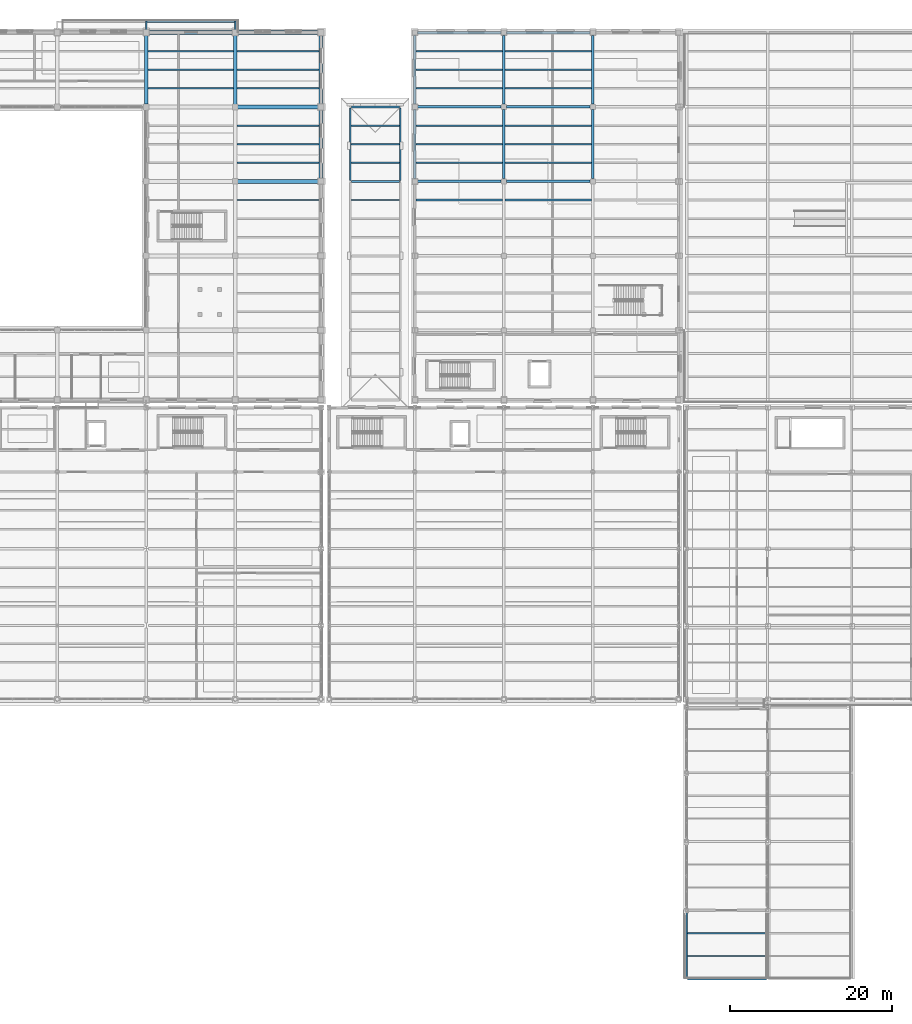
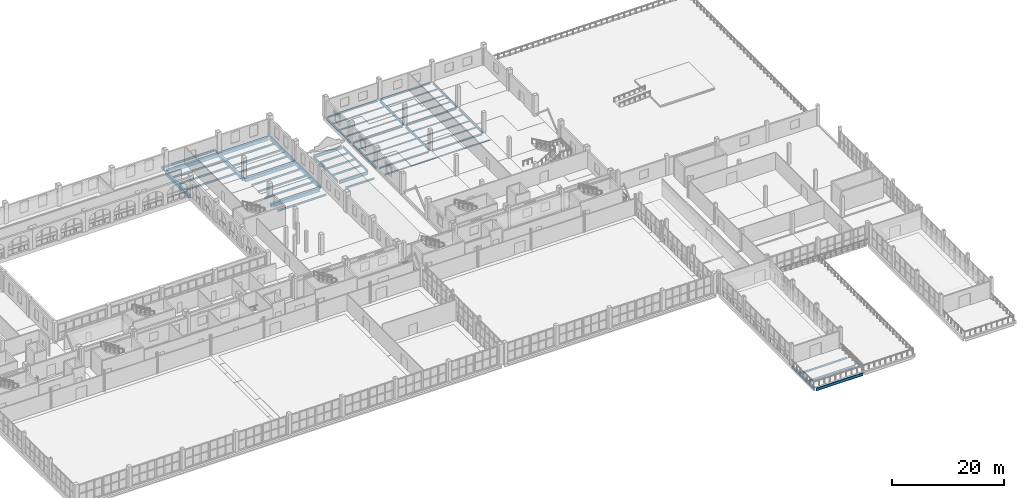
# One storey, part 59 of 156: 59 beams.
"""IFC4 building model written with IfcOpenShell, lengths in metres."""

from ifc_helpers import new_model, si_unit, direction, frame, origin, origin_2d, place, context, subcontext, project, spatial, rectangle, i_section, extrude, material, material_profile, profile_set, type_object, element, save


model = new_model("IFC4")

# Units and contexts
model_context = context("Model", 3, precision=1e-05, world=origin(), true_north=direction((0.0, 1.0)))
body_context = subcontext(model_context, "Body", "Model", "MODEL_VIEW")
ifc_project = project(units=[si_unit("LENGTHUNIT", "METRE"), si_unit("AREAUNIT", "SQUARE_METRE"), si_unit("VOLUMEUNIT", "CUBIC_METRE"), si_unit("PLANEANGLEUNIT", "RADIAN"), si_unit("MASSUNIT", "GRAM", prefix="KILO")], contexts=[model_context])

# Site, building, storey
site_placement = place(None, origin())
site = spatial("IfcSite", under=ifc_project, at=site_placement, CompositionType="ELEMENT")
building_placement = place(site_placement, origin())
building = spatial("IfcBuilding", under=site, at=building_placement, Name="Caurita Quay Ferry Terminal", CompositionType="ELEMENT")
storey_placement = place(building_placement, frame((0.0, 0.0, 5.39990234375)))
storey = spatial("IfcBuildingStorey", under=building, at=storey_placement, Name="L01", CompositionType="ELEMENT", Elevation=5.39990234375)

# Beams
ifc_material_1 = material(Name="Structural steel ASTM A992 Gr. 50", Category="steel")
ifc_material_profile_1 = material_profile(ifc_material_1, i_section(OverallWidth=0.193115234375, OverallDepth=0.46728515625, WebThickness=0.011474609375, FlangeThickness=0.01904296875, FilletRadius=0.0126953125, at=origin_2d()), Name="W18X65")
ifc_profile_set_1 = profile_set([ifc_material_profile_1], Name="Structural steel ASTM A992 Gr. 50")
beam_type_1 = type_object("IfcBeamType", Name="BM-GR-W18A", PredefinedType="BEAM", material=ifc_profile_set_1)
beam_1_placement = place(storey_placement, frame((66.102294921875, 118.320068359375, -0.45361328125), z_axis=(1.0, 0.0, 0.0), x_axis=(0.0, 1.0, 0.0)))
element("IfcBeam", 1, at=beam_1_placement, inside=storey, type_object=beam_type_1, Name="L01 Balcony Front Edge Beam 06", PredefinedType="BEAM", context=body_context, shape_type="SweptSolid", body=[
    extrude(i_section(OverallWidth=0.193115234375, OverallDepth=0.46728515625, WebThickness=0.011474609375, FlangeThickness=0.01904296875, FilletRadius=0.0126953125, at=origin_2d()), origin(), (0.0, 0.0, 1.0), 10.79541015625),
])
ifc_material_profile_2 = material_profile(ifc_material_1, i_section(OverallWidth=0.210693359375, OverallDepth=0.53857421875, WebThickness=0.01171875, FlangeThickness=0.018798828125, FilletRadius=0.013916015625, at=origin_2d()), Name="W21X73")
ifc_profile_set_2 = profile_set([ifc_material_profile_2], Name="Structural steel ASTM A992 Gr. 50")
beam_type_2 = type_object("IfcBeamType", Name="BM-GR-W21A", PredefinedType="BEAM", material=ifc_profile_set_2)
beam_2_placement = place(storey_placement, frame((132.800048828125, 0.12939453125, -0.529296875), z_axis=(0.0, 1.0, 0.0), x_axis=(-1.0, 0.0, 0.0)))
element("IfcBeam", 2, at=beam_2_placement, inside=storey, type_object=beam_type_2, Name="L01 Beam BM-V3P-L01-Y-1328-1", PredefinedType="BEAM", context=body_context, shape_type="SweptSolid", body=[
    extrude(i_section(OverallWidth=0.210693359375, OverallDepth=0.53857421875, WebThickness=0.01171875, FlangeThickness=0.018798828125, FilletRadius=0.013916015625, at=origin_2d()), origin(), (0.0, 0.0, 1.0), 8.2412109375),
])
ifc_material_profile_3 = material_profile(ifc_material_1, i_section(OverallWidth=0.22802734375, OverallDepth=0.60205078125, WebThickness=0.010498046875, FlangeThickness=0.014892578125, at=origin_2d()), Name="W24X68")
ifc_profile_set_3 = profile_set([ifc_material_profile_3], Name="Structural steel ASTM A992 Gr. 50")
beam_type_3 = type_object("IfcBeamType", Name="BM-GR-W24C", PredefinedType="BEAM", material=ifc_profile_set_3)
beam_3_placement = place(storey_placement, frame((132.929443359375, 0.0, -0.560791015625), z_axis=(1.0, 0.0, 0.0), x_axis=(0.0, 1.0, 0.0)))
element("IfcBeam", 3, at=beam_3_placement, inside=storey, type_object=beam_type_3, Name="L01 Beam BM-V3P-L01-X-1329-0", PredefinedType="BEAM", context=body_context, shape_type="SweptSolid", body=[
    extrude(i_section(OverallWidth=0.22802734375, OverallDepth=0.60205078125, WebThickness=0.010498046875, FlangeThickness=0.014892578125, at=origin_2d()), origin(), (0.0, 0.0, 1.0), 9.740966796875),
])
ifc_material_profile_4 = material_profile(ifc_material_1, i_section(OverallWidth=0.25390625, OverallDepth=0.68310546875, WebThickness=0.012451171875, FlangeThickness=0.018798828125, at=origin_2d()), Name="W27X94")
ifc_profile_set_4 = profile_set([ifc_material_profile_4], Name="Structural steel ASTM A992 Gr. 50")
beam_type_4 = type_object("IfcBeamType", Name="BM-GR-W27B", PredefinedType="BEAM", material=ifc_profile_set_4)
for number, where, z_axis, x_axis, name in (
    (4, (91.337646484375, 98.60009765625, -0.491455078125), (1.0, 0.0, 0.0), (0.0, 1.0, 0.0), "L01 Beam BM-V6-L01-X-913-986"),
    (5, (91.337646484375, 107.800048828125, -0.491455078125), (1.0, 0.0, 0.0), (0.0, 1.0, 0.0), "L01 Beam BM-V6-L01-X-913-1078"),
):
    element("IfcBeam", number, at=place(storey_placement, frame(where, z_axis=z_axis, x_axis=x_axis)), inside=storey, type_object=beam_type_4, Name=name, PredefinedType="BEAM", context=body_context, shape_type="SweptSolid", body=[
        extrude(i_section(OverallWidth=0.25390625, OverallDepth=0.68310546875, WebThickness=0.012451171875, FlangeThickness=0.018798828125, at=origin_2d()), origin(), (0.0, 0.0, 1.0), 5.954345703125),
    ])
ifc_material_profile_5 = material_profile(ifc_material_1, i_section(OverallWidth=0.2021484375, OverallDepth=0.246337890625, WebThickness=0.00732421875, FlangeThickness=0.010986328125, FilletRadius=0.01025390625, at=origin_2d()), Name="W10X33")
ifc_profile_set_5 = profile_set([ifc_material_profile_5], Name="Structural steel ASTM A992 Gr. 50")
beam_type_5 = type_object("IfcBeamType", Name="BM-JS-W10", PredefinedType="JOIST", material=ifc_profile_set_5)
for number, where, z_axis, x_axis, name in (
    (6, (99.352294921875, 96.300048828125, -0.30322265625), (1.0, 0.0, 0.0), (0.0, 1.0, 0.0), "L01 Beam JS-V4W-L01-007"),
    (7, (99.352294921875, 100.89990234375, -0.30322265625), (1.0, 0.0, 0.0), (0.0, 1.0, 0.0), "L01 Beam JS-V4W-L01-008"),
    (8, (99.352294921875, 103.199951171875, -0.30322265625), (1.0, 0.0, 0.0), (0.0, 1.0, 0.0), "L01 Beam JS-V4W-L01-009"),
    (9, (99.352294921875, 105.5, -0.30322265625), (1.0, 0.0, 0.0), (0.0, 1.0, 0.0), "L01 Beam JS-V4W-L01-010"),
    (10, (99.352294921875, 110.10009765625, -0.30322265625), (1.0, 0.0, 0.0), (0.0, 1.0, 0.0), "L01 Beam JS-V4W-L01-011"),
    (11, (99.352294921875, 112.39990234375, -0.30322265625), (1.0, 0.0, 0.0), (0.0, 1.0, 0.0), "L01 Beam JS-V4W-L01-012"),
    (12, (99.352294921875, 114.699951171875, -0.30322265625), (1.0, 0.0, 0.0), (0.0, 1.0, 0.0), "L01 Beam JS-V4W-L01-013"),
    (13, (110.352294921875, 96.300048828125, -0.30322265625), (1.0, 0.0, 0.0), (0.0, 1.0, 0.0), "L01 Beam JS-V4W-L01-020"),
    (14, (110.352294921875, 100.89990234375, -0.30322265625), (1.0, 0.0, 0.0), (0.0, 1.0, 0.0), "L01 Beam JS-V4W-L01-021"),
    (15, (110.352294921875, 103.199951171875, -0.30322265625), (1.0, 0.0, 0.0), (0.0, 1.0, 0.0), "L01 Beam JS-V4W-L01-022"),
    (16, (110.352294921875, 105.5, -0.30322265625), (1.0, 0.0, 0.0), (0.0, 1.0, 0.0), "L01 Beam JS-V4W-L01-023"),
    (17, (110.352294921875, 110.10009765625, -0.30322265625), (1.0, 0.0, 0.0), (0.0, 1.0, 0.0), "L01 Beam JS-V4W-L01-024"),
    (18, (110.352294921875, 112.39990234375, -0.30322265625), (1.0, 0.0, 0.0), (0.0, 1.0, 0.0), "L01 Beam JS-V4W-L01-025"),
    (19, (110.352294921875, 114.699951171875, -0.30322265625), (1.0, 0.0, 0.0), (0.0, 1.0, 0.0), "L01 Beam JS-V4W-L01-026"),
):
    element("IfcBeam", number, at=place(storey_placement, frame(where, z_axis=z_axis, x_axis=x_axis)), inside=storey, type_object=beam_type_5, Name=name, PredefinedType="JOIST", context=body_context, shape_type="SweptSolid", body=[
        extrude(i_section(OverallWidth=0.2021484375, OverallDepth=0.246337890625, WebThickness=0.00732421875, FlangeThickness=0.010986328125, FilletRadius=0.01025390625, at=origin_2d()), origin(), (0.0, 0.0, 1.0), 10.6953125),
    ])
ifc_material_profile_6 = material_profile(ifc_material_1, i_section(OverallWidth=0.1787109375, OverallDepth=0.408935546875, WebThickness=0.0087890625, FlangeThickness=0.014404296875, FilletRadius=0.011474609375, at=origin_2d()), Name="W16X45")
ifc_profile_set_6 = profile_set([ifc_material_profile_6], Name="Structural steel ASTM A992 Gr. 50")
beam_type_6 = type_object("IfcBeamType", Name="BM-JS-W16A", PredefinedType="JOIST", material=ifc_profile_set_6)
for number, where, z_axis, x_axis, name in (
    (20, (66.22509765625, 110.10009765625, -0.42431640625), (1.0, 0.0, 0.0), (0.0, 1.0, 0.0), "L01 Beam JS-V5-L01-049"),
    (21, (66.22509765625, 112.39990234375, -0.42431640625), (1.0, 0.0, 0.0), (0.0, 1.0, 0.0), "L01 Beam JS-V5-L01-050"),
    (22, (66.22509765625, 114.699951171875, -0.42431640625), (1.0, 0.0, 0.0), (0.0, 1.0, 0.0), "L01 Beam JS-V5-L01-051"),
):
    element("IfcBeam", number, at=place(storey_placement, frame(where, z_axis=z_axis, x_axis=x_axis)), inside=storey, type_object=beam_type_6, Name=name, PredefinedType="JOIST", context=body_context, shape_type="SweptSolid", body=[
        extrude(i_section(OverallWidth=0.1787109375, OverallDepth=0.408935546875, WebThickness=0.0087890625, FlangeThickness=0.014404296875, FilletRadius=0.011474609375, at=origin_2d()), origin(), (0.0, 0.0, 1.0), 10.5498046875),
    ])
for number, where, z_axis, x_axis, name in (
    (23, (77.22509765625, 96.300048828125, -0.42431640625), (1.0, 0.0, 0.0), (0.0, 1.0, 0.0), "L01 Beam JS-V5-L01-059"),
    (24, (77.22509765625, 100.89990234375, -0.42431640625), (1.0, 0.0, 0.0), (0.0, 1.0, 0.0), "L01 Beam JS-V5-L01-060"),
    (25, (77.22509765625, 103.199951171875, -0.42431640625), (1.0, 0.0, 0.0), (0.0, 1.0, 0.0), "L01 Beam JS-V5-L01-061"),
    (26, (77.22509765625, 105.5, -0.42431640625), (1.0, 0.0, 0.0), (0.0, 1.0, 0.0), "L01 Beam JS-V5-L01-062"),
    (27, (77.22509765625, 110.10009765625, -0.42431640625), (1.0, 0.0, 0.0), (0.0, 1.0, 0.0), "L01 Beam JS-V5-L01-063"),
    (28, (77.22509765625, 112.39990234375, -0.42431640625), (1.0, 0.0, 0.0), (0.0, 1.0, 0.0), "L01 Beam JS-V5-L01-064"),
    (29, (77.22509765625, 114.699951171875, -0.42431640625), (1.0, 0.0, 0.0), (0.0, 1.0, 0.0), "L01 Beam JS-V5-L01-065"),
):
    element("IfcBeam", number, at=place(storey_placement, frame(where, z_axis=z_axis, x_axis=x_axis)), inside=storey, type_object=beam_type_6, Name=name, PredefinedType="JOIST", context=body_context, shape_type="SweptSolid", body=[
        extrude(i_section(OverallWidth=0.1787109375, OverallDepth=0.408935546875, WebThickness=0.0087890625, FlangeThickness=0.014404296875, FilletRadius=0.011474609375, at=origin_2d()), origin(), (0.0, 0.0, 1.0), 10.14990234375),
    ])
ifc_material_profile_7 = material_profile(ifc_material_1, i_section(OverallWidth=0.177734375, OverallDepth=0.40380859375, WebThickness=0.007568359375, FlangeThickness=0.010986328125, FilletRadius=0.011474609375, at=origin_2d()), Name="W16X36")
ifc_profile_set_7 = profile_set([ifc_material_profile_7], Name="Structural steel ASTM A992 Gr. 50")
beam_type_7 = type_object("IfcBeamType", Name="BM-JS-W16B", PredefinedType="JOIST", material=ifc_profile_set_7)
for number, where, z_axis, x_axis, name in (
    (30, (91.283203125, 96.300048828125, -0.351806640625), (1.0, 0.0, 0.0), (0.0, 1.0, 0.0), "L01 Beam JS-V6-L01-008"),
    (31, (91.283203125, 100.89990234375, -0.351806640625), (1.0, 0.0, 0.0), (0.0, 1.0, 0.0), "L01 Beam JS-V6-L01-009"),
    (32, (91.283203125, 103.199951171875, -0.351806640625), (1.0, 0.0, 0.0), (0.0, 1.0, 0.0), "L01 Beam JS-V6-L01-010"),
    (33, (91.283203125, 105.5, -0.351806640625), (1.0, 0.0, 0.0), (0.0, 1.0, 0.0), "L01 Beam JS-V6-L01-011"),
):
    element("IfcBeam", number, at=place(storey_placement, frame(where, z_axis=z_axis, x_axis=x_axis)), inside=storey, type_object=beam_type_7, Name=name, PredefinedType="JOIST", context=body_context, shape_type="SweptSolid", body=[
        extrude(i_section(OverallWidth=0.177734375, OverallDepth=0.40380859375, WebThickness=0.007568359375, FlangeThickness=0.010986328125, FilletRadius=0.011474609375, at=origin_2d()), origin(), (0.0, 0.0, 1.0), 6.033447265625),
    ])
ifc_material_profile_8 = material_profile(ifc_material_1, i_section(OverallWidth=0.139892578125, OverallDepth=0.39892578125, WebThickness=0.00634765625, FlangeThickness=0.0087890625, at=origin_2d()), Name="W16X26")
ifc_profile_set_8 = profile_set([ifc_material_profile_8], Name="Structural steel ASTM A992 Gr. 50")
beam_type_8 = type_object("IfcBeamType", Name="BM-JS-W16C", PredefinedType="JOIST", material=ifc_profile_set_8)
for number, where, z_axis, x_axis, name in (
    (34, (132.905517578125, 2.833251953125, -0.45947265625), (1.0, 0.0, 0.0), (0.0, 1.0, 0.0), "L01 Beam JS-V3P-L01-001"),
    (35, (132.905517578125, 5.666748046875, -0.45947265625), (1.0, 0.0, 0.0), (0.0, 1.0, 0.0), "L01 Beam JS-V3P-L01-002"),
):
    element("IfcBeam", number, at=place(storey_placement, frame(where, z_axis=z_axis, x_axis=x_axis)), inside=storey, type_object=beam_type_8, Name=name, PredefinedType="JOIST", context=body_context, shape_type="SweptSolid", body=[
        extrude(i_section(OverallWidth=0.139892578125, OverallDepth=0.39892578125, WebThickness=0.00634765625, FlangeThickness=0.0087890625, at=origin_2d()), origin(), (0.0, 0.0, 1.0), 9.7890625),
    ])
ifc_material_profile_9 = material_profile(ifc_material_1, i_section(OverallWidth=0.20458984375, OverallDepth=0.307373046875, WebThickness=0.008544921875, FlangeThickness=0.0146484375, FilletRadius=0.0126953125, at=origin_2d()), Name="W12X45")
ifc_profile_set_9 = profile_set([ifc_material_profile_9], Name="Structural steel ASTM A992 Gr. 50")
beam_type_9 = type_object("IfcBeamType", Name="BM-OUT-W12", PredefinedType="BEAM", material=ifc_profile_set_9)
for number, where, z_axis, x_axis, name in (
    (36, (66.0, 117.179931640625, -0.37353515625), (0.0, 1.0, 0.0), (-1.0, 0.0, 0.0), "L01 Balcony Outrigger Cantilever 07"),
    (37, (77.0, 117.179931640625, -0.37353515625), (0.0, 1.0, 0.0), (-1.0, 0.0, 0.0), "L01 Balcony Outrigger Cantilever 08"),
):
    element("IfcBeam", number, at=place(storey_placement, frame(where, z_axis=z_axis, x_axis=x_axis)), inside=storey, type_object=beam_type_9, Name=name, PredefinedType="BEAM", context=body_context, shape_type="SweptSolid", body=[
        extrude(i_section(OverallWidth=0.20458984375, OverallDepth=0.307373046875, WebThickness=0.008544921875, FlangeThickness=0.0146484375, FilletRadius=0.0126953125, at=origin_2d()), origin(), (0.0, 0.0, 1.0), 1.27001953125),
    ])
ifc_material_2 = material(Name="Reinforced concrete C35/45", Category="concrete")
ifc_material_profile_10 = material_profile(ifc_material_2, rectangle(XDim=0.449951171875, YDim=0.64990234375, at=origin_2d()), Name="RC-BM-450X650")
ifc_profile_set_10 = profile_set([ifc_material_profile_10], Name="Reinforced concrete C35/45")
beam_type_10 = type_object("IfcBeamType", Name="BM-RC-4565", PredefinedType="BEAM", material=ifc_profile_set_10)
beam_4_placement = place(storey_placement, frame((66.0, 108.139892578125, -0.544921875), z_axis=(0.0, 1.0, 0.0), x_axis=(-1.0, 0.0, 0.0)))
element("IfcBeam", 38, at=beam_4_placement, inside=storey, type_object=beam_type_10, Name="L01 Beam BM-V5-L01-Y-660-1081", PredefinedType="BEAM", context=body_context, shape_type="SweptSolid", body=[
    extrude(rectangle(XDim=0.449951171875, YDim=0.64990234375, at=origin_2d()), origin(), (0.0, 0.0, 1.0), 8.52001953125),
])
beam_5_placement = place(storey_placement, frame((77.0, 107.984375, -0.544921875), z_axis=(0.0, 1.0, 0.0), x_axis=(-1.0, 0.0, 0.0)))
element("IfcBeam", 39, at=beam_5_placement, inside=storey, type_object=beam_type_10, Name="L01 Beam BM-V5-L01-Y-770-1080", PredefinedType="BEAM", context=body_context, shape_type="SweptSolid", body=[
    extrude(rectangle(XDim=0.449951171875, YDim=0.64990234375, at=origin_2d()), origin(), (0.0, 0.0, 1.0), 8.831298828125),
])
for number, where, z_axis, x_axis, name in (
    (40, (87.60009765625, 98.93994140625, -0.544921875), (0.0, 1.0, 0.0), (-1.0, 0.0, 0.0), "L01 Beam BM-V5-L01-Y-876-989"),
    (41, (87.60009765625, 108.139892578125, -0.544921875), (0.0, 1.0, 0.0), (-1.0, 0.0, 0.0), "L01 Beam BM-V5-L01-Y-876-1081"),
):
    element("IfcBeam", number, at=place(storey_placement, frame(where, z_axis=z_axis, x_axis=x_axis)), inside=storey, type_object=beam_type_10, Name=name, PredefinedType="BEAM", context=body_context, shape_type="SweptSolid", body=[
        extrude(rectangle(XDim=0.449951171875, YDim=0.64990234375, at=origin_2d()), origin(), (0.0, 0.0, 1.0), 8.52001953125),
    ])
ifc_material_profile_11 = material_profile(ifc_material_2, rectangle(XDim=0.5, YDim=0.75, at=origin_2d()), Name="RC-BM-500X750")
ifc_profile_set_11 = profile_set([ifc_material_profile_11], Name="Reinforced concrete C35/45")
beam_type_11 = type_object("IfcBeamType", Name="BM-RC-5075", PredefinedType="BEAM", material=ifc_profile_set_11)
for number, where, z_axis, x_axis, name in (
    (42, (77.1748046875, 98.60009765625, -0.594970703125), (1.0, 0.0, 0.0), (0.0, 1.0, 0.0), "L01 Beam BM-V5-L01-X-772-986"),
    (43, (77.1748046875, 107.800048828125, -0.594970703125), (1.0, 0.0, 0.0), (0.0, 1.0, 0.0), "L01 Beam BM-V5-L01-X-772-1078"),
):
    element("IfcBeam", number, at=place(storey_placement, frame(where, z_axis=z_axis, x_axis=x_axis)), inside=storey, type_object=beam_type_11, Name=name, PredefinedType="BEAM", context=body_context, shape_type="SweptSolid", body=[
        extrude(rectangle(XDim=0.5, YDim=0.75, at=origin_2d()), origin(), (0.0, 0.0, 1.0), 10.085205078125),
    ])
beam_6_placement = place(storey_placement, frame((66.340087890625, 117.0, -0.594970703125), z_axis=(1.0, 0.0, 0.0), x_axis=(0.0, 1.0, 0.0)))
element("IfcBeam", 44, at=beam_6_placement, inside=storey, type_object=beam_type_11, Name="L01 Beam BM-V5-L01-X-663-1170", PredefinedType="BEAM", context=body_context, shape_type="SweptSolid", body=[
    extrude(rectangle(XDim=0.5, YDim=0.75, at=origin_2d()), origin(), (0.0, 0.0, 1.0), 10.485107421875),
])
beam_7_placement = place(storey_placement, frame((77.1748046875, 117.0, -0.594970703125), z_axis=(1.0, 0.0, 0.0), x_axis=(0.0, 1.0, 0.0)))
element("IfcBeam", 45, at=beam_7_placement, inside=storey, type_object=beam_type_11, Name="L01 Beam BM-V5-L01-X-772-1170", PredefinedType="BEAM", context=body_context, shape_type="SweptSolid", body=[
    extrude(rectangle(XDim=0.5, YDim=0.75, at=origin_2d()), origin(), (0.0, 0.0, 1.0), 10.085205078125),
])
ifc_material_profile_12 = material_profile(ifc_material_1, i_section(OverallWidth=0.16650390625, OverallDepth=0.535888671875, WebThickness=0.01025390625, FlangeThickness=0.0166015625, FilletRadius=0.013916015625, at=origin_2d()), Name="W21X57")
ifc_profile_set_12 = profile_set([ifc_material_profile_12], Name="Structural steel ASTM A992 Gr. 50")
beam_type_12 = type_object("IfcBeamType", Name="BM-SP-W21B", PredefinedType="SPANDREL", material=ifc_profile_set_12)
beam_8_placement = place(storey_placement, frame((91.199951171875, 98.73779296875, -0.417724609375), z_axis=(0.0, 1.0, 0.0), x_axis=(-1.0, 0.0, 0.0)))
element("IfcBeam", 46, at=beam_8_placement, inside=storey, type_object=beam_type_12, Name="L01 Beam BM-V6-L01-Y-912-987", PredefinedType="SPANDREL", context=body_context, shape_type="SweptSolid", body=[
    extrude(i_section(OverallWidth=0.16650390625, OverallDepth=0.535888671875, WebThickness=0.01025390625, FlangeThickness=0.0166015625, FilletRadius=0.013916015625, at=origin_2d()), origin(), (0.0, 0.0, 1.0), 8.924560546875),
])
beam_9_placement = place(storey_placement, frame((97.39990234375, 98.7080078125, -0.417724609375), z_axis=(0.0, 1.0, 0.0), x_axis=(-1.0, 0.0, 0.0)))
element("IfcBeam", 47, at=beam_9_placement, inside=storey, type_object=beam_type_12, Name="L01 Beam BM-V6-L01-Y-974-987", PredefinedType="SPANDREL", context=body_context, shape_type="SweptSolid", body=[
    extrude(i_section(OverallWidth=0.16650390625, OverallDepth=0.535888671875, WebThickness=0.01025390625, FlangeThickness=0.0166015625, FilletRadius=0.013916015625, at=origin_2d()), origin(), (0.0, 0.0, 1.0), 8.98388671875),
])
ifc_material_profile_13 = material_profile(ifc_material_1, i_section(OverallWidth=0.3046875, OverallDepth=0.307373046875, WebThickness=0.010009765625, FlangeThickness=0.015380859375, FilletRadius=0.01513671875, at=origin_2d()), Name="W12X65")
ifc_profile_set_13 = profile_set([ifc_material_profile_13], Name="Structural steel ASTM A992 Gr. 50")
beam_type_13 = type_object("IfcBeamType", Name="BM-VD-W12A", PredefinedType="BEAM", material=ifc_profile_set_13)
for number, where, z_axis, x_axis, name in (
    (48, (99.5400390625, 98.60009765625, -0.33349609375), (1.0, 0.0, 0.0), (0.0, 1.0, 0.0), "L01 Beam BM-V4W-L01-X-995-986"),
    (49, (110.5400390625, 98.60009765625, -0.33349609375), (1.0, 0.0, 0.0), (0.0, 1.0, 0.0), "L01 Beam BM-V4W-L01-X-1105-986"),
    (50, (99.5400390625, 107.800048828125, -0.33349609375), (1.0, 0.0, 0.0), (0.0, 1.0, 0.0), "L01 Beam BM-V4W-L01-X-995-1078"),
    (51, (110.5400390625, 107.800048828125, -0.33349609375), (1.0, 0.0, 0.0), (0.0, 1.0, 0.0), "L01 Beam BM-V4W-L01-X-1105-1078"),
    (52, (99.5400390625, 117.0, -0.33349609375), (1.0, 0.0, 0.0), (0.0, 1.0, 0.0), "L01 Beam BM-V4W-L01-X-995-1170"),
    (53, (110.5400390625, 117.0, -0.33349609375), (1.0, 0.0, 0.0), (0.0, 1.0, 0.0), "L01 Beam BM-V4W-L01-X-1105-1170"),
):
    element("IfcBeam", number, at=place(storey_placement, frame(where, z_axis=z_axis, x_axis=x_axis)), inside=storey, type_object=beam_type_13, Name=name, PredefinedType="BEAM", context=body_context, shape_type="SweptSolid", body=[
        extrude(i_section(OverallWidth=0.3046875, OverallDepth=0.307373046875, WebThickness=0.010009765625, FlangeThickness=0.015380859375, FilletRadius=0.01513671875, at=origin_2d()), origin(), (0.0, 0.0, 1.0), 10.320068359375),
    ])
for number, where, z_axis, x_axis, name in (
    (54, (99.199951171875, 98.93994140625, -0.33349609375), (0.0, 1.0, 0.0), (-1.0, 0.0, 0.0), "L01 Beam BM-V4W-L01-Y-992-989"),
    (55, (99.199951171875, 108.139892578125, -0.33349609375), (0.0, 1.0, 0.0), (-1.0, 0.0, 0.0), "L01 Beam BM-V4W-L01-Y-992-1081"),
    (56, (110.199951171875, 98.93994140625, -0.33349609375), (0.0, 1.0, 0.0), (-1.0, 0.0, 0.0), "L01 Beam BM-V4W-L01-Y-1102-989"),
    (57, (110.199951171875, 108.139892578125, -0.33349609375), (0.0, 1.0, 0.0), (-1.0, 0.0, 0.0), "L01 Beam BM-V4W-L01-Y-1102-1081"),
    (58, (121.199951171875, 98.93994140625, -0.33349609375), (0.0, 1.0, 0.0), (-1.0, 0.0, 0.0), "L01 Beam BM-V4W-L01-Y-1212-989"),
    (59, (121.199951171875, 108.139892578125, -0.33349609375), (0.0, 1.0, 0.0), (-1.0, 0.0, 0.0), "L01 Beam BM-V4W-L01-Y-1212-1081"),
):
    element("IfcBeam", number, at=place(storey_placement, frame(where, z_axis=z_axis, x_axis=x_axis)), inside=storey, type_object=beam_type_13, Name=name, PredefinedType="BEAM", context=body_context, shape_type="SweptSolid", body=[
        extrude(i_section(OverallWidth=0.3046875, OverallDepth=0.307373046875, WebThickness=0.010009765625, FlangeThickness=0.015380859375, FilletRadius=0.01513671875, at=origin_2d()), origin(), (0.0, 0.0, 1.0), 8.52001953125),
    ])

save(model, "model.ifc")
